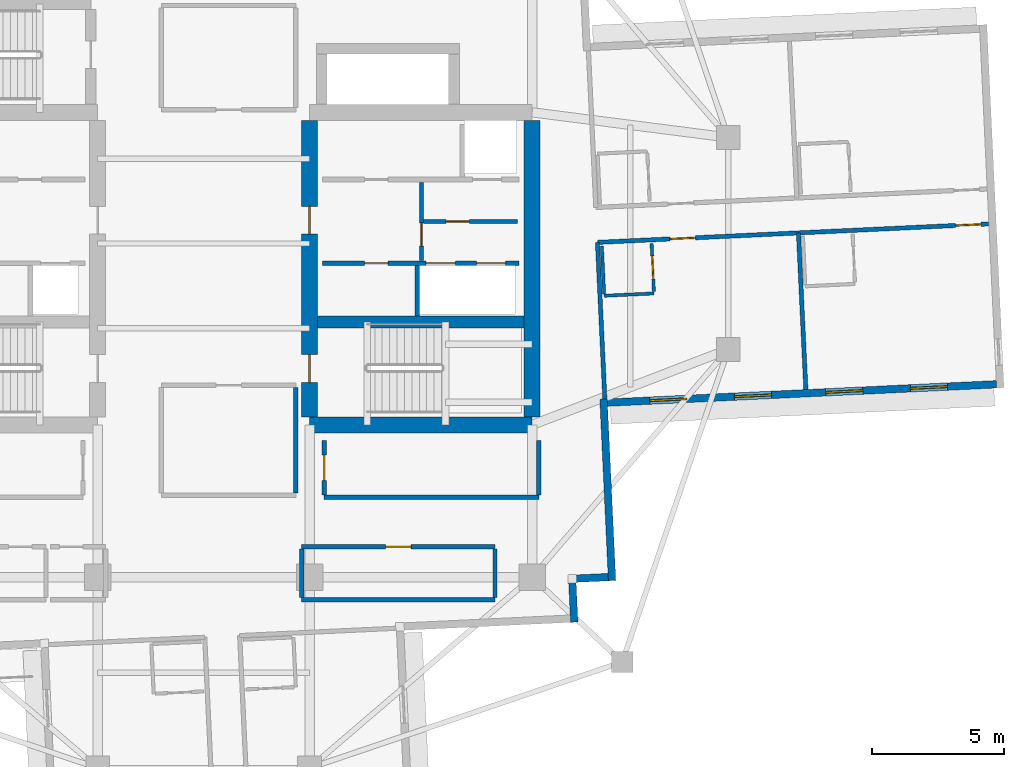
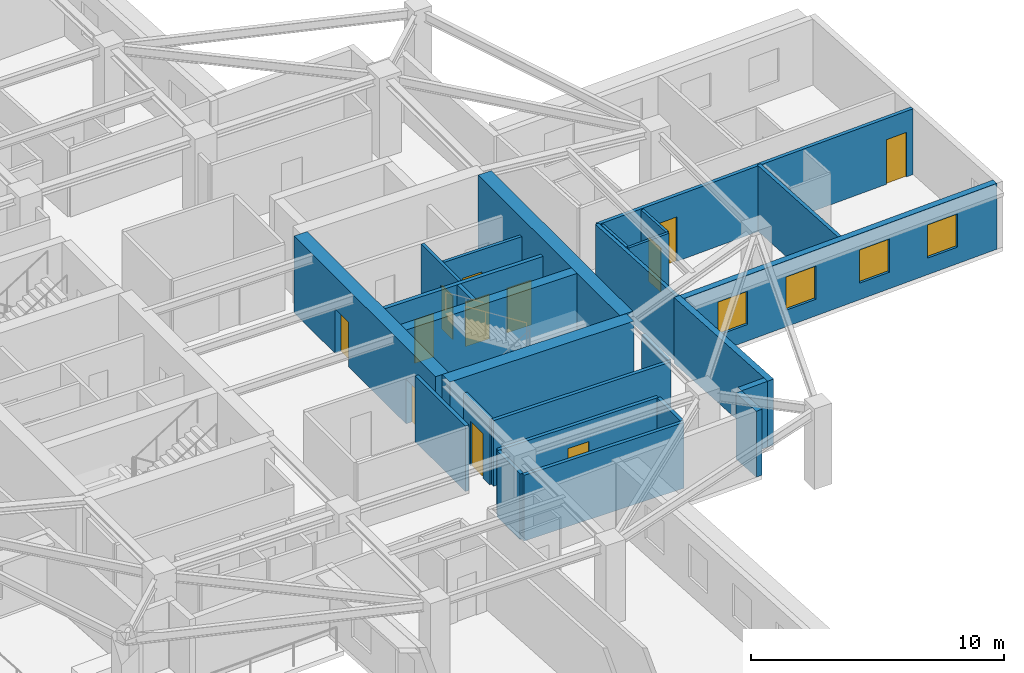
# One storey, part 5 of 12: 26 walls, 12 doors, 4 windows, 16 openings.
"""IFC4 building model written with IfcOpenShell, lengths in metres."""

from ifc_helpers import new_model, si_unit, direction, frame, frame_2d, origin, place, context, subcontext, project, spatial, rectangle, extrude, material, layer, layer_set, type_object, element, fill, save


model = new_model("IFC4")

# Units and contexts
model_context = context("Model", 3, precision=1e-05, world=origin(), true_north=direction((0.0, 1.0)))
body_context = subcontext(model_context, "Body", "Model", "MODEL_VIEW")
ifc_project = project(units=[si_unit("LENGTHUNIT", "METRE"), si_unit("AREAUNIT", "SQUARE_METRE"), si_unit("VOLUMEUNIT", "CUBIC_METRE"), si_unit("PLANEANGLEUNIT", "RADIAN"), si_unit("MASSUNIT", "GRAM", prefix="KILO")], contexts=[model_context])

# Site, building, storey
site_placement = place(None, origin())
site = spatial("IfcSite", under=ifc_project, at=site_placement, CompositionType="ELEMENT")
building_placement = place(site_placement, origin())
building = spatial("IfcBuilding", under=site, at=building_placement, Name="Qingluan Cross Belvedere", CompositionType="ELEMENT")
storey_placement = place(building_placement, frame((0.0, 0.0, 213.0)))
storey = spatial("IfcBuildingStorey", under=building, at=storey_placement, Name="L53", CompositionType="ELEMENT", Elevation=213.0)

# Walls
ifc_material_1 = material(Name="Concrete C50", Category="concrete")
ifc_layer_1 = layer(ifc_material_1, 0.449951171875, Name="CoreShearWall_450")
ifc_layer_set_1 = layer_set([ifc_layer_1], Name="Concrete C50")
wall_type_1 = type_object("IfcWallType", Name="CoreShearWall_450", PredefinedType="SHEAR", material=ifc_layer_set_1)
wall_1_placement = place(storey_placement, frame((4.304931640625, -2.9599609375, 0.0), z_axis=(0.0, 0.0, 1.0), x_axis=(1.0, 0.0, 0.0)))
element("IfcWall", 1, at=wall_1_placement, inside=storey, type_object=wall_type_1, Name="Split core E shear wall L53-M", PredefinedType="SHEAR", context=body_context, shape_type="SweptSolid", body=[
    extrude(rectangle(XDim=7.7900390625, YDim=0.449951171875, at=frame_2d((3.89501953125, 0.0))), origin(), (0.0, 0.0, 1.0), 3.699951171875),
])
ifc_material_2 = material(Name="Concrete C60", Category="concrete")
ifc_layer_2 = layer(ifc_material_2, 0.60009765625, Name="CoreShearWall_600")
ifc_layer_set_2 = layer_set([ifc_layer_2], Name="Concrete C60")
wall_type_2 = type_object("IfcWallType", Name="CoreShearWall_600", PredefinedType="SHEAR", material=ifc_layer_set_2)
wall_2_placement = place(storey_placement, frame((4.0, -6.85009765625, 0.0), z_axis=(0.0, 0.0, 1.0), x_axis=(1.0, 0.0, 0.0)))
element("IfcWall", 2, at=wall_2_placement, inside=storey, type_object=wall_type_2, Name="Split core E shear wall L53-S", PredefinedType="SHEAR", context=body_context, shape_type="SweptSolid", body=[
    extrude(rectangle(XDim=8.39990234375, YDim=0.60009765625, at=frame_2d((4.199951171875, 0.0))), origin(), (0.0, 0.0, 1.0), 3.699951171875),
])

# Wall, openings, doors
wall_3_placement = place(storey_placement, frame((4.0, -6.544921875, 0.0), z_axis=(0.0, 0.0, 1.0), x_axis=(0.0, 1.0, 0.0)))
wall_3 = element("IfcWall", 3, at=wall_3_placement, inside=storey, type_object=wall_type_2, Name="Split core E shear wall L53-W", PredefinedType="SHEAR", context=body_context, shape_type="SweptSolid", body=[
    extrude(rectangle(XDim=11.18994140625, YDim=0.60009765625, at=frame_2d((5.594970703125, 0.0))), origin(), (0.0, 0.0, 1.0), 3.699951171875),
])
opening_1_placement = place(wall_3_placement, frame((1.294921875, 0.0, 0.0)))
opening_1 = element("IfcOpeningElement", 4, at=opening_1_placement, cuts=wall_3, Name="Opening FD-B11", PredefinedType="OPENING", context=body_context, shape_type="SweptSolid", body=[
    extrude(rectangle(XDim=1.050048828125, YDim=2.14990234375, at=frame_2d((0.52490234375, 1.074951171875))), frame((0.0, 0.31005859375, 0.0), z_axis=(0.0, -1.0, 0.0), x_axis=(1.0, 0.0, 0.0)), (0.0, 0.0, 1.0), 0.6201171875),
])
opening_2_placement = place(wall_3_placement, frame((6.89501953125, 0.0, 0.0)))
opening_2 = element("IfcOpeningElement", 5, at=opening_2_placement, cuts=wall_3, Name="Opening FD-B11", PredefinedType="OPENING", context=body_context, shape_type="SweptSolid", body=[
    extrude(rectangle(XDim=1.050048828125, YDim=2.14990234375, at=frame_2d((0.52490234375, 1.074951171875))), frame((0.0, 0.31005859375, 0.0), z_axis=(0.0, -1.0, 0.0), x_axis=(1.0, 0.0, 0.0)), (0.0, 0.0, 1.0), 0.6201171875),
])
ifc_material_3 = material(Name="Steel Class B smoke-seal fire door", Category="steel")
door_type_1 = type_object("IfcDoorType", Name="StairLobbyFireDoor_FDB", OperationType="NOTDEFINED", PredefinedType="DOOR", material=ifc_material_3)
door_1_placement = place(opening_1_placement, origin())
door_1 = element("IfcDoor", 6, at=door_1_placement, inside=storey, type_object=door_type_1, Name="Smoke-proof stair ST2 fire door L53", OperationType="SINGLE_SWING_RIGHT", OverallHeight=2.14990234375, OverallWidth=1.050048828125, PredefinedType="DOOR", context=body_context, shape_type="SweptSolid", body=[
    extrude(rectangle(XDim=1.050048828125, YDim=2.14990234375, at=frame_2d((0.52490234375, 1.074951171875))), frame((0.0, 0.02490234375, 0.0), z_axis=(0.0, -1.0, 0.0), x_axis=(1.0, 0.0, 0.0)), (0.0, 0.0, 1.0), 0.050048828125),
])
fill(opening_1, door_1)
door_2_placement = place(opening_2_placement, origin())
door_2 = element("IfcDoor", 7, at=door_2_placement, inside=storey, type_object=door_type_1, Name="Firefighting lobby East fire door L53", OperationType="SINGLE_SWING_RIGHT", OverallHeight=2.14990234375, OverallWidth=1.050048828125, PredefinedType="DOOR", context=body_context, shape_type="SweptSolid", body=[
    extrude(rectangle(XDim=1.050048828125, YDim=2.14990234375, at=frame_2d((0.52490234375, 1.074951171875))), frame((0.0, 0.02490234375, 0.0), z_axis=(0.0, -1.0, 0.0), x_axis=(1.0, 0.0, 0.0)), (0.0, 0.0, 1.0), 0.050048828125),
])
fill(opening_2, door_2)

# Wall
wall_4_placement = place(storey_placement, frame((12.39990234375, -6.544921875, 0.0), z_axis=(0.0, 0.0, 1.0), x_axis=(0.0, 1.0, 0.0)))
element("IfcWall", 8, at=wall_4_placement, inside=storey, type_object=wall_type_2, Name="Split core E shear wall L53-E", PredefinedType="SHEAR", context=body_context, shape_type="SweptSolid", body=[
    extrude(rectangle(XDim=11.18994140625, YDim=0.60009765625, at=frame_2d((5.594970703125, 0.0))), origin(), (0.0, 0.0, 1.0), 3.699951171875),
])

# Wall, opening, door
ifc_material_4 = material(Name="Gypsum plasterboard on steel stud acoustic partition", Category="steel")
ifc_layer_3 = layer(ifc_material_4, 0.159912109375, Name="CorridorPartition_160")
ifc_layer_set_3 = layer_set([ifc_layer_3], Name="Gypsum plasterboard on steel stud acoustic partition")
wall_type_3 = type_object("IfcWallType", Name="CorridorPartition_160", PredefinedType="PARTITIONING", material=ifc_layer_set_3)
wall_5_placement = place(storey_placement, frame((8.298095703125, 0.830078125, 0.0), z_axis=(0.0, 0.0, 1.0), x_axis=(1.0, 0.0, 0.0)))
wall_5 = element("IfcWall", 9, at=wall_5_placement, inside=storey, type_object=wall_type_3, Name="Partition L53:e", PredefinedType="PARTITIONING", context=body_context, shape_type="SweptSolid", body=[
    extrude(rectangle(XDim=3.552001953125, YDim=0.139892578125, at=frame_2d((1.77587890625, 0.0))), origin(), (0.0, 0.0, 1.0), 3.169921875),
])
opening_3_placement = place(wall_5_placement, frame((0.85009765625, 0.0, 0.0)))
opening_3 = element("IfcOpeningElement", 10, at=opening_3_placement, cuts=wall_5, Name="Opening FD-B10", PredefinedType="OPENING", context=body_context, shape_type="SweptSolid", body=[
    extrude(rectangle(XDim=0.8798828125, YDim=2.10009765625, at=frame_2d((0.43994140625, 1.050048828125))), frame((0.0, 0.079833984375, 0.0), z_axis=(0.0, -1.0, 0.0), x_axis=(1.0, 0.0, 0.0)), (0.0, 0.0, 1.0), 0.159912109375),
])
ifc_material_5 = material(Name="Steel Class B service fire door", Category="steel")
door_type_2 = type_object("IfcDoorType", Name="RiserServiceFireDoor_FDB", OperationType="NOTDEFINED", PredefinedType="DOOR", material=ifc_material_5)
door_3_placement = place(opening_3_placement, origin())
door_3 = element("IfcDoor", 11, at=door_3_placement, inside=storey, type_object=door_type_2, Name="Service closet inner door L53", OperationType="SINGLE_SWING_LEFT", OverallHeight=2.10009765625, OverallWidth=0.8798828125, PredefinedType="DOOR", context=body_context, shape_type="SweptSolid", body=[
    extrude(rectangle(XDim=0.8798828125, YDim=2.10009765625, at=frame_2d((0.43994140625, 1.050048828125))), frame((0.0, 0.02490234375, 0.0), z_axis=(0.0, -1.0, 0.0), x_axis=(1.0, 0.0, 0.0)), (0.0, 0.0, 1.0), 0.050048828125),
])
fill(opening_3, door_3)

# Wall
wall_6_placement = place(storey_placement, frame((3.699951171875, -13.449951171875, 0.0), z_axis=(0.0, 0.0, 1.0), x_axis=(1.0, 0.0, 0.0)))
element("IfcWall", 12, at=wall_6_placement, inside=storey, type_object=wall_type_3, Name="Partition L53:q_se:S", PredefinedType="PARTITIONING", context=body_context, shape_type="SweptSolid", body=[
    extrude(rectangle(XDim=7.300048828125, YDim=0.159912109375, at=frame_2d((3.64990234375, 0.0))), origin(), (0.0, 0.0, 1.0), 3.169921875),
])

# Wall, opening, door
wall_7_placement = place(storey_placement, frame((3.699951171875, -11.449951171875, 0.0), z_axis=(0.0, 0.0, 1.0), x_axis=(1.0, 0.0, 0.0)))
wall_7 = element("IfcWall", 13, at=wall_7_placement, inside=storey, type_object=wall_type_3, Name="Partition L53:q_se:N", PredefinedType="PARTITIONING", context=body_context, shape_type="SweptSolid", body=[
    extrude(rectangle(XDim=7.300048828125, YDim=0.159912109375, at=frame_2d((3.64990234375, 0.0))), origin(), (0.0, 0.0, 1.0), 3.169921875),
])
opening_4_placement = place(wall_7_placement, frame((3.169921875, 0.0, 0.0)))
opening_4 = element("IfcOpeningElement", 14, at=opening_4_placement, cuts=wall_7, Name="Opening GD-10", PredefinedType="OPENING", context=body_context, shape_type="SweptSolid", body=[
    extrude(rectangle(XDim=0.9599609375, YDim=2.14990234375, at=frame_2d((0.47998046875, 1.074951171875))), frame((0.0, 0.08984375, 0.0), z_axis=(0.0, -1.0, 0.0), x_axis=(1.0, 0.0, 0.0)), (0.0, 0.0, 1.0), 0.179931640625),
])
ifc_material_6 = material(Name="Timber oak fire-rated acoustic guestroom door", Category="wood")
door_type_3 = type_object("IfcDoorType", Name="GuestEntryDoor_FD60", OperationType="NOTDEFINED", PredefinedType="DOOR", material=ifc_material_6)
door_4_placement = place(opening_4_placement, origin())
door_4 = element("IfcDoor", 15, at=door_4_placement, inside=storey, type_object=door_type_3, Name="Private butler office L53 door", OperationType="SINGLE_SWING_RIGHT", OverallHeight=2.14990234375, OverallWidth=0.9599609375, PredefinedType="DOOR", context=body_context, shape_type="SweptSolid", body=[
    extrude(rectangle(XDim=0.9599609375, YDim=2.14990234375, at=frame_2d((0.47998046875, 1.074951171875))), frame((0.0, 0.02490234375, 0.0), z_axis=(0.0, -1.0, 0.0), x_axis=(1.0, 0.0, 0.0)), (0.0, 0.0, 1.0), 0.050048828125),
])
fill(opening_4, door_4)

# Walls
for number, where, z_axis, x_axis, name in (
    (16, (3.699951171875, -13.364990234375, 0.0), (0.0, 0.0, 1.0), (0.0, 1.0, 0.0), "Partition L53:q_se:W"),
    (17, (11.0, -13.364990234375, 0.0), (0.0, 0.0, 1.0), (0.0, 1.0, 0.0), "Partition L53:q_se:E"),
):
    element("IfcWall", number, at=place(storey_placement, frame(where, z_axis=z_axis, x_axis=x_axis)), inside=storey, type_object=wall_type_3, Name=name, PredefinedType="PARTITIONING", context=body_context, shape_type="SweptSolid", body=[
        extrude(rectangle(XDim=1.830078125, YDim=0.159912109375, at=frame_2d((0.9150390625, 0.0))), origin(), (0.0, 0.0, 1.0), 3.169921875),
    ])
wall_8_placement = place(storey_placement, frame((3.47998046875, -9.4150390625, 0.0), z_axis=(0.0, 0.0, 1.0), x_axis=(0.0, 1.0, 0.0)))
element("IfcWall", 18, at=wall_8_placement, inside=storey, type_object=wall_type_3, Name="Partition L53:sky_south_alcove:E", PredefinedType="PARTITIONING", context=body_context, shape_type="SweptSolid", body=[
    extrude(rectangle(XDim=3.97998046875, YDim=0.159912109375, at=frame_2d((1.989990234375, 0.0))), origin(), (0.0, 0.0, 1.0), 3.169921875),
])
wall_9_placement = place(storey_placement, frame((4.550048828125, -9.580078125, 0.0), z_axis=(0.0, 0.0, 1.0), x_axis=(1.0, 0.0, 0.0)))
element("IfcWall", 19, at=wall_9_placement, inside=storey, type_object=wall_type_3, Name="Partition L53:rec_st4:S", PredefinedType="PARTITIONING", context=body_context, shape_type="SweptSolid", body=[
    extrude(rectangle(XDim=8.099853515625, YDim=0.159912109375, at=frame_2d((4.0498046875, 0.0))), origin(), (0.0, 0.0, 1.0), 3.169921875),
])

# Wall, opening, door
wall_10_placement = place(storey_placement, frame((4.550048828125, -9.4951171875, 0.0), z_axis=(0.0, 0.0, 1.0), x_axis=(0.0, 1.0, 0.0)))
wall_10 = element("IfcWall", 20, at=wall_10_placement, inside=storey, type_object=wall_type_3, Name="Partition L53:rec_st4:W", PredefinedType="PARTITIONING", context=body_context, shape_type="SweptSolid", body=[
    extrude(rectangle(XDim=2.06005859375, YDim=0.159912109375, at=frame_2d((1.030029296875, 0.0))), origin(), (0.0, 0.0, 1.0), 3.169921875),
])
opening_5_placement = place(wall_10_placement, frame((0.550048828125, 0.0, 0.0)))
opening_5 = element("IfcOpeningElement", 21, at=opening_5_placement, cuts=wall_10, Name="Opening GD-10", PredefinedType="OPENING", context=body_context, shape_type="SweptSolid", body=[
    extrude(rectangle(XDim=0.9599609375, YDim=2.14990234375, at=frame_2d((0.47998046875, 1.074951171875))), frame((0.0, 0.08984375, 0.0), z_axis=(0.0, -1.0, 0.0), x_axis=(1.0, 0.0, 0.0)), (0.0, 0.0, 1.0), 0.179931640625),
])
door_5_placement = place(opening_5_placement, origin())
door_5 = element("IfcDoor", 22, at=door_5_placement, inside=storey, type_object=door_type_3, Name="Southeast club library room L53 door", OperationType="SINGLE_SWING_RIGHT", OverallHeight=2.14990234375, OverallWidth=0.9599609375, PredefinedType="DOOR", context=body_context, shape_type="SweptSolid", body=[
    extrude(rectangle(XDim=0.9599609375, YDim=2.14990234375, at=frame_2d((0.47998046875, 1.074951171875))), frame((0.0, 0.02490234375, 0.0), z_axis=(0.0, -1.0, 0.0), x_axis=(1.0, 0.0, 0.0)), (0.0, 0.0, 1.0), 0.050048828125),
])
fill(opening_5, door_5)

# Wall
wall_11_placement = place(storey_placement, frame((12.64990234375, -9.4951171875, 0.0), z_axis=(0.0, 0.0, 1.0), x_axis=(0.0, 1.0, 0.0)))
element("IfcWall", 23, at=wall_11_placement, inside=storey, type_object=wall_type_3, Name="Partition L53:rec_st4:E", PredefinedType="PARTITIONING", context=body_context, shape_type="SweptSolid", body=[
    extrude(rectangle(XDim=2.06005859375, YDim=0.159912109375, at=frame_2d((1.030029296875, 0.0))), origin(), (0.0, 0.0, 1.0), 3.169921875),
])

# Wall, openings, doors
wall_12_placement = place(storey_placement, frame((14.864501953125, 0.040283203125, 0.0), z_axis=(0.0, 0.0, 1.0), x_axis=(0.99889000272, 0.04710374153, 0.0)))
wall_12 = element("IfcWall", 24, at=wall_12_placement, inside=storey, type_object=wall_type_3, Name="Partition L53:E:c1", PredefinedType="PARTITIONING", context=body_context, shape_type="SweptSolid", body=[
    extrude(rectangle(XDim=14.781982421875, YDim=0.159912109375, at=frame_2d((7.39111328125, 0.0))), origin(), (0.0, 0.0, 1.0), 3.169921875),
])
opening_6_placement = place(wall_12_placement, frame((2.739990234375, 0.0, 0.0)))
opening_6 = element("IfcOpeningElement", 25, at=opening_6_placement, cuts=wall_12, Name="Opening GD-10", PredefinedType="OPENING", context=body_context, shape_type="SweptSolid", body=[
    extrude(rectangle(XDim=0.9599609375, YDim=2.14990234375, at=frame_2d((0.47998046875, 1.074951171875))), frame((0.0, 0.08984375, 0.0), z_axis=(0.0, -1.0, 0.0), x_axis=(1.0, 0.0, 0.0)), (0.0, 0.0, 1.0), 0.179931640625),
])
opening_7_placement = place(wall_12_placement, frame((13.530029296875, 0.0, 0.0)))
opening_7 = element("IfcOpeningElement", 26, at=opening_7_placement, cuts=wall_12, Name="Opening GD-10", PredefinedType="OPENING", context=body_context, shape_type="SweptSolid", body=[
    extrude(rectangle(XDim=0.9599609375, YDim=2.14990234375, at=frame_2d((0.47998046875, 1.074951171875))), frame((0.0, 0.08984375, 0.0), z_axis=(0.0, -1.0, 0.0), x_axis=(1.0, 0.0, 0.0)), (0.0, 0.0, 1.0), 0.179931640625),
])
door_6_placement = place(opening_6_placement, origin())
door_6 = element("IfcDoor", 27, at=door_6_placement, inside=storey, type_object=door_type_3, Name="Guest entry fire door 5303", OperationType="SINGLE_SWING_RIGHT", OverallHeight=2.14990234375, OverallWidth=0.9599609375, PredefinedType="DOOR", context=body_context, shape_type="SweptSolid", body=[
    extrude(rectangle(XDim=0.9599609375, YDim=2.14990234375, at=frame_2d((0.47998046875, 1.074951171875))), frame((0.0, 0.02490234375, 0.0), z_axis=(0.0, -1.0, 0.0), x_axis=(1.0, 0.0, 0.0)), (0.0, 0.0, 1.0), 0.050048828125),
])
fill(opening_6, door_6)
door_7_placement = place(opening_7_placement, origin())
door_7 = element("IfcDoor", 28, at=door_7_placement, inside=storey, type_object=door_type_3, Name="Guest entry fire door 5304", OperationType="SINGLE_SWING_RIGHT", OverallHeight=2.14990234375, OverallWidth=0.9599609375, PredefinedType="DOOR", context=body_context, shape_type="SweptSolid", body=[
    extrude(rectangle(XDim=0.9599609375, YDim=2.14990234375, at=frame_2d((0.47998046875, 1.074951171875))), frame((0.0, 0.02490234375, 0.0), z_axis=(0.0, -1.0, 0.0), x_axis=(1.0, 0.0, 0.0)), (0.0, 0.0, 1.0), 0.050048828125),
])
fill(opening_7, door_7)

# Walls
for number, where, z_axis, x_axis, name in (
    (29, (14.864501953125, 0.040283203125, 0.0), (0.0, 0.0, 1.0), (0.047117811235, -0.998889339148, 0.0), "Partition L53:E:s1"),
    (30, (22.4521484375, 0.398193359375, 0.0), (0.0, 0.0, 1.0), (0.047117811235, -0.998889339148, 0.0), "Partition L53:E:d1_0"),
):
    element("IfcWall", number, at=place(storey_placement, frame(where, z_axis=z_axis, x_axis=x_axis)), inside=storey, type_object=wall_type_3, Name=name, PredefinedType="PARTITIONING", context=body_context, shape_type="SweptSolid", body=[
        extrude(rectangle(XDim=5.912109375, YDim=0.159912109375, at=frame_2d((2.9560546875, 0.0))), origin(), (0.0, 0.0, 1.0), 3.169921875),
    ])

# Wall, opening, door
ifc_material_7 = material(Name="Moisture-resistant gypsum board lining")
ifc_layer_4 = layer(ifc_material_7, 0.1201171875, Name="EnsuiteWetPartition_120")
ifc_layer_set_4 = layer_set([ifc_layer_4], Name="Moisture-resistant gypsum board lining")
wall_type_4 = type_object("IfcWallType", Name="EnsuiteWetPartition_120", PredefinedType="PARTITIONING", material=ifc_layer_set_4)
wall_13_placement = place(storey_placement, frame((16.99462890625, -1.821533203125, 0.0), z_axis=(0.0, 0.0, 1.0), x_axis=(-0.047080807099, 0.998891083954, 0.0)))
wall_13 = element("IfcWall", 31, at=wall_13_placement, inside=storey, type_object=wall_type_4, Name="Partition L53:E:bs1_0", PredefinedType="PARTITIONING", context=body_context, shape_type="SweptSolid", body=[
    extrude(rectangle(XDim=1.820068359375, YDim=0.1201171875, at=frame_2d((0.91015625, 0.0))), origin(), (0.0, 0.0, 1.0), 3.169921875),
])
opening_8_placement = place(wall_13_placement, frame((0.469970703125, 0.0, 0.0)))
opening_8 = element("IfcOpeningElement", 32, at=opening_8_placement, cuts=wall_13, Name="Opening BD-09", PredefinedType="OPENING", context=body_context, shape_type="SweptSolid", body=[
    extrude(rectangle(XDim=0.8798828125, YDim=2.10009765625, at=frame_2d((0.43994140625, 1.050048828125))), frame((0.0, 0.070068359375, 0.0), z_axis=(0.0, -1.0, 0.0), x_axis=(1.0, 0.0, 0.0)), (0.0, 0.0, 1.0), 0.14013671875),
])
ifc_material_8 = material(Name="Moisture-sealed timber en-suite door", Category="wood")
door_type_4 = type_object("IfcDoorType", Name="BathroomDoor_880", OperationType="NOTDEFINED", PredefinedType="DOOR", material=ifc_material_8)
door_8_placement = place(opening_8_placement, origin())
door_8 = element("IfcDoor", 33, at=door_8_placement, inside=storey, type_object=door_type_4, Name="Bathroom door 5303", OperationType="SINGLE_SWING_LEFT", OverallHeight=2.10009765625, OverallWidth=0.8798828125, PredefinedType="DOOR", context=body_context, shape_type="SweptSolid", body=[
    extrude(rectangle(XDim=0.8798828125, YDim=2.10009765625, at=frame_2d((0.43994140625, 1.050048828125))), frame((0.0, 0.02490234375, 0.0), z_axis=(0.0, -1.0, 0.0), x_axis=(1.0, 0.0, 0.0)), (0.0, 0.0, 1.0), 0.050048828125),
])
fill(opening_8, door_8)

# Walls
wall_14_placement = place(storey_placement, frame((15.11669921875, -1.909912109375, 0.0), z_axis=(0.0, 0.0, 1.0), x_axis=(-0.047087116047, 0.998890786574, 0.0)))
element("IfcWall", 34, at=wall_14_placement, inside=storey, type_object=wall_type_4, Name="Partition L53:E:bw1_0", PredefinedType="PARTITIONING", context=body_context, shape_type="SweptSolid", body=[
    extrude(rectangle(XDim=1.81982421875, YDim=0.1201171875, at=frame_2d((0.909912109375, 0.0))), origin(), (0.0, 0.0, 1.0), 3.169921875),
])
wall_15_placement = place(storey_placement, frame((15.119873046875, -1.97509765625, 0.0), z_axis=(0.0, 0.0, 1.0), x_axis=(0.998888319371, 0.047139425368, 0.0)))
element("IfcWall", 35, at=wall_15_placement, inside=storey, type_object=wall_type_4, Name="Partition L53:E:bc1_0", PredefinedType="PARTITIONING", context=body_context, shape_type="SweptSolid", body=[
    extrude(rectangle(XDim=1.880126953125, YDim=0.1201171875, at=frame_2d((0.93994140625, 0.0))), origin(), (0.0, 0.0, 1.0), 3.169921875),
])

# Wall, openings, windows
ifc_material_9 = material(Name="Precast concrete C45", Category="concrete")
ifc_layer_5 = layer(ifc_material_9, 0.280029296875, Name="PrecastFacadeWall_280")
ifc_layer_set_5 = layer_set([ifc_layer_5], Name="Precast concrete C45")
wall_type_5 = type_object("IfcWallType", Name="PrecastFacadeWall_280", PredefinedType="STANDARD", material=ifc_layer_set_5)
wall_16_placement = place(storey_placement, frame((15.239990234375, -6.0087890625, 0.0), z_axis=(0.0, 0.0, 1.0), x_axis=(0.998890124275, 0.047101163748, 0.0)))
wall_16 = element("IfcWall", 36, at=wall_16_placement, inside=storey, type_object=wall_type_5, Name="Facade wall L53-EA", PredefinedType="STANDARD", context=body_context, shape_type="SweptSolid", body=[
    extrude(rectangle(XDim=14.699951171875, YDim=0.280029296875, at=frame_2d((7.35009765625, 0.0))), origin(), (0.0, 0.0, 1.0), 3.179931640625),
])
opening_9_placement = place(wall_16_placement, frame((1.60009765625, 0.0, 0.800048828125)))
opening_9 = element("IfcOpeningElement", 37, at=opening_9_placement, cuts=wall_16, Name="Opening W-01", PredefinedType="OPENING", context=body_context, shape_type="SweptSolid", body=[
    extrude(rectangle(XDim=1.39990234375, YDim=1.60009765625, at=frame_2d((0.699951171875, 0.800048828125))), frame((0.0, 0.14990234375, 0.0), z_axis=(0.0, -1.0, 0.0), x_axis=(1.0, 0.0, 0.0)), (0.0, 0.0, 1.0), 0.300048828125),
])
opening_10_placement = place(wall_16_placement, frame((4.800048828125, 0.0, 0.800048828125)))
opening_10 = element("IfcOpeningElement", 38, at=opening_10_placement, cuts=wall_16, Name="Opening W-01", PredefinedType="OPENING", context=body_context, shape_type="SweptSolid", body=[
    extrude(rectangle(XDim=1.39990234375, YDim=1.60009765625, at=frame_2d((0.699951171875, 0.800048828125))), frame((0.0, 0.14990234375, 0.0), z_axis=(0.0, -1.0, 0.0), x_axis=(1.0, 0.0, 0.0)), (0.0, 0.0, 1.0), 0.300048828125),
])
opening_11_placement = place(wall_16_placement, frame((8.25, 0.0, 0.800048828125)))
opening_11 = element("IfcOpeningElement", 39, at=opening_11_placement, cuts=wall_16, Name="Opening W-01", PredefinedType="OPENING", context=body_context, shape_type="SweptSolid", body=[
    extrude(rectangle(XDim=1.39990234375, YDim=1.60009765625, at=frame_2d((0.699951171875, 0.800048828125))), frame((0.0, 0.14990234375, 0.0), z_axis=(0.0, -1.0, 0.0), x_axis=(1.0, 0.0, 0.0)), (0.0, 0.0, 1.0), 0.300048828125),
])
opening_12_placement = place(wall_16_placement, frame((11.449951171875, 0.0, 0.800048828125)))
opening_12 = element("IfcOpeningElement", 40, at=opening_12_placement, cuts=wall_16, Name="Opening W-01", PredefinedType="OPENING", context=body_context, shape_type="SweptSolid", body=[
    extrude(rectangle(XDim=1.39990234375, YDim=1.60009765625, at=frame_2d((0.699951171875, 0.800048828125))), frame((0.0, 0.14990234375, 0.0), z_axis=(0.0, -1.0, 0.0), x_axis=(1.0, 0.0, 0.0)), (0.0, 0.0, 1.0), 0.300048828125),
])
ifc_material_10 = material(Name="Thermally broken triple Low-E glass in aluminium frame", Category="aluminium")
window_type = type_object("IfcWindowType", Name="TriRibbonWin_1400x1600", PartitioningType="SINGLE_PANEL", PredefinedType="WINDOW", material=ifc_material_10)
window_1_placement = place(opening_9_placement, origin())
window_1 = element("IfcWindow", 41, at=window_1_placement, inside=storey, type_object=window_type, Name="Ribbon window L53-EA-1", OverallHeight=1.60009765625, OverallWidth=1.39990234375, PartitioningType="SINGLE_PANEL", PredefinedType="WINDOW", context=body_context, shape_type="SweptSolid", body=[
    extrude(rectangle(XDim=1.39990234375, YDim=1.60009765625, at=frame_2d((0.699951171875, 0.800048828125))), frame((0.0, 0.030029296875, 0.0), z_axis=(0.0, -1.0, 0.0), x_axis=(1.0, 0.0, 0.0)), (0.0, 0.0, 1.0), 0.06005859375),
])
fill(opening_9, window_1)
window_2_placement = place(opening_10_placement, origin())
window_2 = element("IfcWindow", 42, at=window_2_placement, inside=storey, type_object=window_type, Name="Ribbon window L53-EA-2", OverallHeight=1.60009765625, OverallWidth=1.39990234375, PartitioningType="SINGLE_PANEL", PredefinedType="WINDOW", context=body_context, shape_type="SweptSolid", body=[
    extrude(rectangle(XDim=1.39990234375, YDim=1.60009765625, at=frame_2d((0.699951171875, 0.800048828125))), frame((0.0, 0.030029296875, 0.0), z_axis=(0.0, -1.0, 0.0), x_axis=(1.0, 0.0, 0.0)), (0.0, 0.0, 1.0), 0.06005859375),
])
fill(opening_10, window_2)
window_3_placement = place(opening_11_placement, origin())
window_3 = element("IfcWindow", 43, at=window_3_placement, inside=storey, type_object=window_type, Name="Ribbon window L53-EA-3", OverallHeight=1.60009765625, OverallWidth=1.39990234375, PartitioningType="SINGLE_PANEL", PredefinedType="WINDOW", context=body_context, shape_type="SweptSolid", body=[
    extrude(rectangle(XDim=1.39990234375, YDim=1.60009765625, at=frame_2d((0.699951171875, 0.800048828125))), frame((0.0, 0.030029296875, 0.0), z_axis=(0.0, -1.0, 0.0), x_axis=(1.0, 0.0, 0.0)), (0.0, 0.0, 1.0), 0.06005859375),
])
fill(opening_11, window_3)
window_4_placement = place(opening_12_placement, origin())
window_4 = element("IfcWindow", 44, at=window_4_placement, inside=storey, type_object=window_type, Name="Ribbon window L53-EA-4", OverallHeight=1.60009765625, OverallWidth=1.39990234375, PartitioningType="SINGLE_PANEL", PredefinedType="WINDOW", context=body_context, shape_type="SweptSolid", body=[
    extrude(rectangle(XDim=1.39990234375, YDim=1.60009765625, at=frame_2d((0.699951171875, 0.800048828125))), frame((0.0, 0.030029296875, 0.0), z_axis=(0.0, -1.0, 0.0), x_axis=(1.0, 0.0, 0.0)), (0.0, 0.0, 1.0), 0.06005859375),
])
fill(opening_12, window_4)

# Walls
wall_17_placement = place(storey_placement, frame((15.093505859375, -5.87548828125, 0.0), z_axis=(0.0, 0.0, 1.0), x_axis=(0.04712043756, -0.998889215261, 0.0)))
element("IfcWall", 45, at=wall_17_placement, inside=storey, type_object=wall_type_5, Name="Corner wall L53-SE1", PredefinedType="STANDARD", context=body_context, shape_type="SweptSolid", body=[
    extrude(rectangle(XDim=6.85986328125, YDim=0.280029296875, at=frame_2d((3.429931640625, 0.0))), origin(), (0.0, 0.0, 1.0), 3.179931640625),
])
wall_18_placement = place(storey_placement, frame((15.270263671875, -12.5947265625, 0.0), z_axis=(0.0, 0.0, 1.0), x_axis=(-0.998893795343, -0.047023245574, 0.0)))
element("IfcWall", 46, at=wall_18_placement, inside=storey, type_object=wall_type_5, Name="Corner wall L53-SE2", PredefinedType="STANDARD", context=body_context, shape_type="SweptSolid", body=[
    extrude(rectangle(XDim=1.22021484375, YDim=0.280029296875, at=frame_2d((0.610107421875, 0.0))), origin(), (0.0, 0.0, 1.0), 3.179931640625),
])
wall_19_placement = place(storey_placement, frame((13.918212890625, -12.798583984375, 0.0), z_axis=(0.0, 0.0, 1.0), x_axis=(0.047201688113, -0.99888537913, 0.0)))
element("IfcWall", 47, at=wall_19_placement, inside=storey, type_object=wall_type_5, Name="Corner wall L53-SE3", PredefinedType="STANDARD", context=body_context, shape_type="SweptSolid", body=[
    extrude(rectangle(XDim=1.5, YDim=0.280029296875, at=frame_2d((0.75, 0.0))), origin(), (0.0, 0.0, 1.0), 3.179931640625),
])

# Wall, openings, doors
ifc_material_11 = material(Name="Concrete C40", Category="concrete")
ifc_layer_6 = layer(ifc_material_11, 0.219970703125, Name="ShaftEnclosureWall_250")
ifc_layer_set_6 = layer_set([ifc_layer_6], Name="Concrete C40")
wall_type_6 = type_object("IfcWallType", Name="ShaftEnclosureWall_250", PredefinedType="SOLIDWALL", material=ifc_layer_set_6)
wall_20_placement = place(storey_placement, frame((4.47998046875, -0.75, 0.0), z_axis=(0.0, 0.0, 1.0), x_axis=(1.0, 0.0, 0.0)))
wall_20 = element("IfcWall", 48, at=wall_20_placement, inside=storey, type_object=wall_type_6, Name="Core-E mid hoistway wall L53", PredefinedType="SOLIDWALL", context=body_context, shape_type="SweptSolid", body=[
    extrude(rectangle(XDim=7.419921875, YDim=0.179931640625, at=frame_2d((3.7099609375, 0.0))), origin(), (0.0, 0.0, 1.0), 3.169921875),
])
opening_13_placement = place(wall_20_placement, frame((3.919921875, 0.0, 0.0)))
opening_13 = element("IfcOpeningElement", 49, at=opening_13_placement, cuts=wall_20, Name="Opening LD-11", PredefinedType="OPENING", context=body_context, shape_type="SweptSolid", body=[
    extrude(rectangle(XDim=1.10009765625, YDim=2.14990234375, at=frame_2d((0.550048828125, 1.074951171875))), frame((0.0, 0.099853515625, 0.0), z_axis=(0.0, -1.0, 0.0), x_axis=(1.0, 0.0, 0.0)), (0.0, 0.0, 1.0), 0.199951171875),
])
opening_14_placement = place(wall_20_placement, frame((5.820068359375, 0.0, 0.0)))
opening_14 = element("IfcOpeningElement", 50, at=opening_14_placement, cuts=wall_20, Name="Opening LD-11", PredefinedType="OPENING", context=body_context, shape_type="SweptSolid", body=[
    extrude(rectangle(XDim=1.10009765625, YDim=2.14990234375, at=frame_2d((0.550048828125, 1.074951171875))), frame((0.0, 0.099853515625, 0.0), z_axis=(0.0, -1.0, 0.0), x_axis=(1.0, 0.0, 0.0)), (0.0, 0.0, 1.0), 0.199951171875),
])
opening_15_placement = place(wall_20_placement, frame((1.60009765625, 0.0, 0.0)))
opening_15 = element("IfcOpeningElement", 51, at=opening_15_placement, cuts=wall_20, Name="Opening FD-B10", PredefinedType="OPENING", context=body_context, shape_type="SweptSolid", body=[
    extrude(rectangle(XDim=0.8798828125, YDim=2.10009765625, at=frame_2d((0.43994140625, 1.050048828125))), frame((0.0, 0.099853515625, 0.0), z_axis=(0.0, -1.0, 0.0), x_axis=(1.0, 0.0, 0.0)), (0.0, 0.0, 1.0), 0.199951171875),
])
ifc_material_12 = material(Name="Brushed stainless steel centre-opening lift landing door", Category="steel")
door_type_5 = type_object("IfcDoorType", Name="LiftLandingSlidingDoor_1100", OperationType="DOUBLE_DOOR_SLIDING", PredefinedType="DOOR", material=ifc_material_12)
door_9_placement = place(opening_13_placement, origin())
door_9 = element("IfcDoor", 52, at=door_9_placement, inside=storey, type_object=door_type_5, Name="Lift landing sliding door LP9 L53", OperationType="DOUBLE_DOOR_SLIDING", OverallHeight=2.14990234375, OverallWidth=1.10009765625, PredefinedType="DOOR", context=body_context, shape_type="SweptSolid", body=[
    extrude(rectangle(XDim=1.10009765625, YDim=2.14990234375, at=frame_2d((0.550048828125, 1.074951171875))), frame((0.0, 0.02490234375, 0.0), z_axis=(0.0, -1.0, 0.0), x_axis=(1.0, 0.0, 0.0)), (0.0, 0.0, 1.0), 0.050048828125),
])
fill(opening_13, door_9)
door_10_placement = place(opening_14_placement, origin())
door_10 = element("IfcDoor", 53, at=door_10_placement, inside=storey, type_object=door_type_5, Name="Lift landing sliding door LP10 L53", OperationType="DOUBLE_DOOR_SLIDING", OverallHeight=2.14990234375, OverallWidth=1.10009765625, PredefinedType="DOOR", context=body_context, shape_type="SweptSolid", body=[
    extrude(rectangle(XDim=1.10009765625, YDim=2.14990234375, at=frame_2d((0.550048828125, 1.074951171875))), frame((0.0, 0.02490234375, 0.0), z_axis=(0.0, -1.0, 0.0), x_axis=(1.0, 0.0, 0.0)), (0.0, 0.0, 1.0), 0.050048828125),
])
fill(opening_14, door_10)
door_11_placement = place(opening_15_placement, origin())
door_11 = element("IfcDoor", 54, at=door_11_placement, inside=storey, type_object=door_type_2, Name="Upper-zone linen store door L53", OperationType="SINGLE_SWING_LEFT", OverallHeight=2.10009765625, OverallWidth=0.8798828125, PredefinedType="DOOR", context=body_context, shape_type="SweptSolid", body=[
    extrude(rectangle(XDim=0.8798828125, YDim=2.10009765625, at=frame_2d((0.43994140625, 1.050048828125))), frame((0.0, 0.02490234375, 0.0), z_axis=(0.0, -1.0, 0.0), x_axis=(1.0, 0.0, 0.0)), (0.0, 0.0, 1.0), 0.050048828125),
])
fill(opening_15, door_11)

# Wall
wall_21_placement = place(storey_placement, frame((8.06005859375, -2.72998046875, 0.0), z_axis=(0.0, 0.0, 1.0), x_axis=(0.0, 1.0, 0.0)))
element("IfcWall", 55, at=wall_21_placement, inside=storey, type_object=wall_type_6, Name="Hoistway enclosure divider LP9W L53", PredefinedType="SOLIDWALL", context=body_context, shape_type="SweptSolid", body=[
    extrude(rectangle(XDim=1.889892578125, YDim=0.179931640625, at=frame_2d((0.94482421875, 0.0))), origin(), (0.0, 0.0, 1.0), 3.169921875),
])

# Wall, opening, door
wall_22_placement = place(storey_placement, frame((8.219970703125, -0.64990234375, 0.0), z_axis=(0.0, 0.0, 1.0), x_axis=(0.0, 1.0, 0.0)))
wall_22 = element("IfcWall", 56, at=wall_22_placement, inside=storey, type_object=wall_type_6, Name="Core-E service corridor wall L53", PredefinedType="SOLIDWALL", context=body_context, shape_type="SweptSolid", body=[
    extrude(rectangle(XDim=2.9599609375, YDim=0.139892578125, at=frame_2d((1.47998046875, 0.0))), origin(), (0.0, 0.0, 1.0), 3.169921875),
])
opening_16_placement = place(wall_22_placement, frame((0.550048828125, 0.0, 0.0)))
opening_16 = element("IfcOpeningElement", 57, at=opening_16_placement, cuts=wall_22, Name="Opening FD-B10", PredefinedType="OPENING", context=body_context, shape_type="SweptSolid", body=[
    extrude(rectangle(XDim=0.8798828125, YDim=2.10009765625, at=frame_2d((0.43994140625, 1.050048828125))), frame((0.0, 0.079833984375, 0.0), z_axis=(0.0, -1.0, 0.0), x_axis=(1.0, 0.0, 0.0)), (0.0, 0.0, 1.0), 0.159912109375),
])
door_12_placement = place(opening_16_placement, origin())
door_12 = element("IfcDoor", 58, at=door_12_placement, inside=storey, type_object=door_type_2, Name="Core-E service room door L53", OperationType="SINGLE_SWING_LEFT", OverallHeight=2.10009765625, OverallWidth=0.8798828125, PredefinedType="DOOR", context=body_context, shape_type="SweptSolid", body=[
    extrude(rectangle(XDim=0.8798828125, YDim=2.10009765625, at=frame_2d((0.43994140625, 1.050048828125))), frame((0.0, 0.02490234375, 0.0), z_axis=(0.0, -1.0, 0.0), x_axis=(1.0, 0.0, 0.0)), (0.0, 0.0, 1.0), 0.050048828125),
])
fill(opening_16, door_12)

save(model, "model.ifc")
